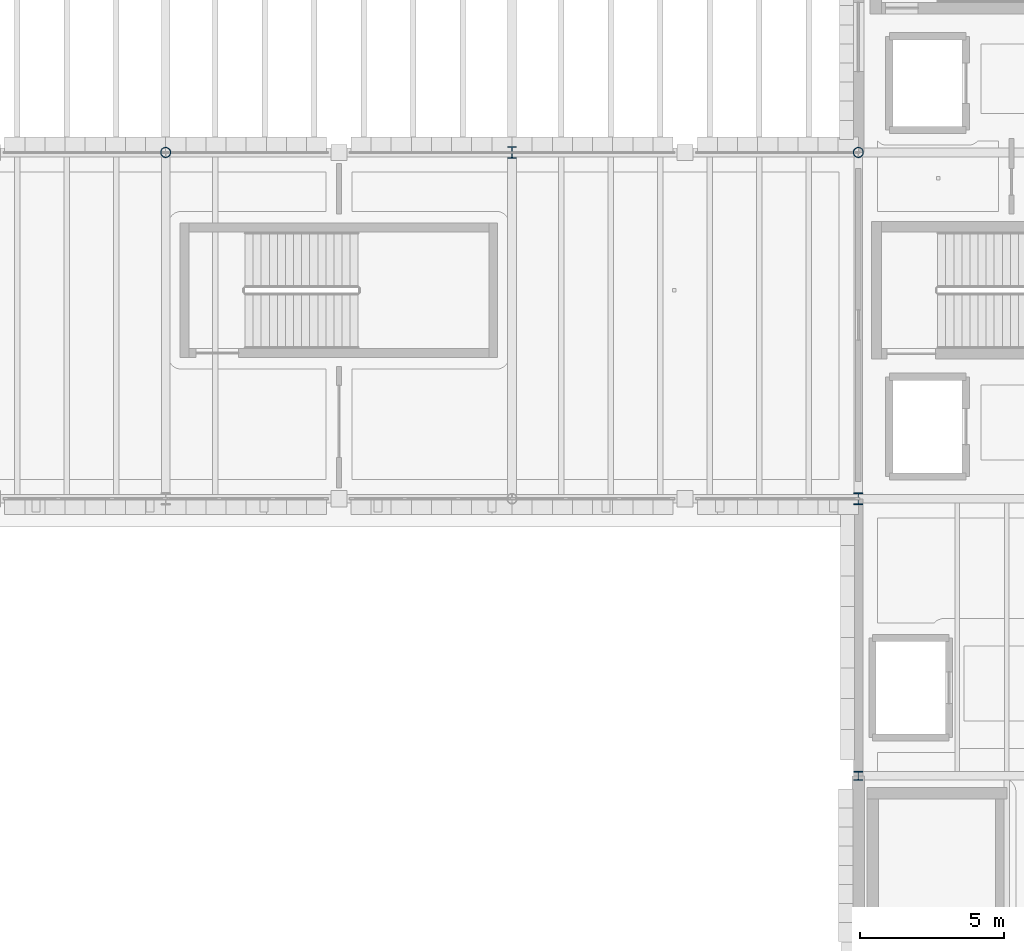
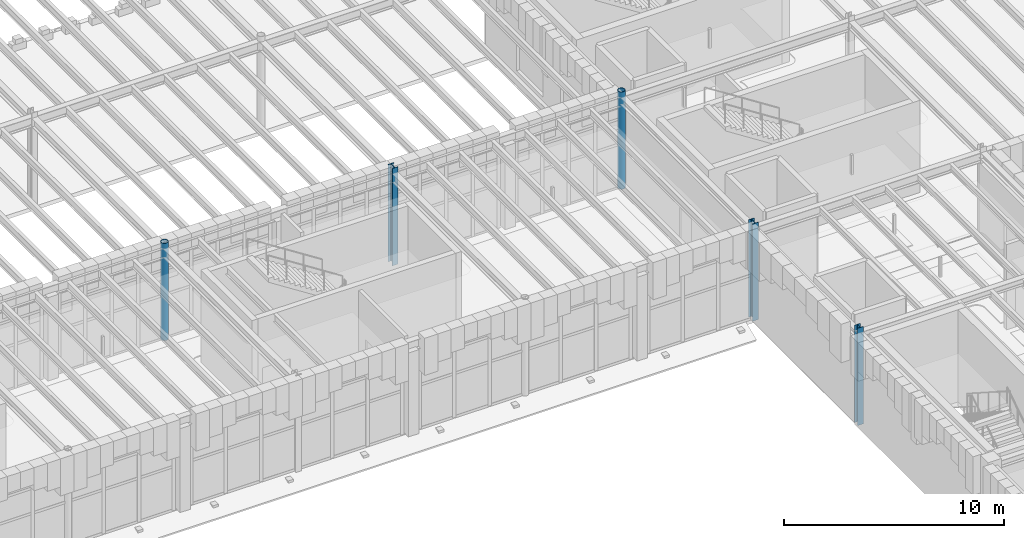
# One storey, part 9 of 100: 5 columns.
"""IFC4 building model written with IfcOpenShell, lengths in metres."""

from ifc_helpers import new_model, si_unit, direction, frame, origin, origin_2d, place, context, subcontext, project, spatial, hollow_circle, i_section, extrude, material, material_profile, profile_set, type_object, element, save


model = new_model("IFC4")

# Units and contexts
model_context = context("Model", 3, precision=1e-05, world=origin(), true_north=direction((0.0, 1.0)))
body_context = subcontext(model_context, "Body", "Model", "MODEL_VIEW")
ifc_project = project(units=[si_unit("LENGTHUNIT", "METRE"), si_unit("AREAUNIT", "SQUARE_METRE"), si_unit("VOLUMEUNIT", "CUBIC_METRE"), si_unit("PLANEANGLEUNIT", "RADIAN"), si_unit("MASSUNIT", "GRAM", prefix="KILO")], contexts=[model_context])

# Site, building, storey
site_placement = place(None, origin())
site = spatial("IfcSite", under=ifc_project, at=site_placement, CompositionType="ELEMENT")
building_placement = place(site_placement, origin())
building = spatial("IfcBuilding", under=site, at=building_placement, Name="Zlatogorsky Bluff Art Gallery", CompositionType="ELEMENT")
storey_placement = place(building_placement, frame((0.0, 0.0, 5.39990234375)))
storey = spatial("IfcBuildingStorey", under=building, at=storey_placement, Name="L01", CompositionType="ELEMENT", Elevation=5.39990234375)

# Columns
ifc_material = material(Name="Steel S355", Category="steel")
ifc_material_profile_1 = material_profile(ifc_material, i_section(OverallWidth=0.300048828125, OverallDepth=0.39990234375, WebThickness=0.013427734375, FlangeThickness=0.02392578125, FilletRadius=0.027099609375, at=origin_2d()), Name="HEB 400")
ifc_profile_set_1 = profile_set([ifc_material_profile_1], Name="Steel S355")
column_type_1 = type_object("IfcColumnType", Name="Column CL-04 HEB 400", PredefinedType="COLUMN", material=ifc_profile_set_1)
for number, where, z_axis, x_axis, name in (
    (1, (108.0, 96.0, 0.0), (0.0, 0.0, 1.0), (1.0, 0.0, 0.0), "Column CL-04 L01 K10"),
    (2, (120.0, 84.0, 0.0), (0.0, 0.0, 1.0), (1.0, 0.0, 0.0), "Column CL-04 L01 L9"),
):
    element("IfcColumn", number, at=place(storey_placement, frame(where, z_axis=z_axis, x_axis=x_axis)), inside=storey, type_object=column_type_1, Name=name, PredefinedType="COLUMN", context=body_context, shape_type="SweptSolid", body=[
        extrude(i_section(OverallWidth=0.300048828125, OverallDepth=0.39990234375, WebThickness=0.013427734375, FlangeThickness=0.02392578125, FilletRadius=0.027099609375, at=origin_2d()), origin(), (0.0, 0.0, 1.0), 5.400146484375),
    ])
ifc_material_profile_2 = material_profile(ifc_material, i_section(OverallWidth=0.300048828125, OverallDepth=0.300048828125, WebThickness=0.010986328125, FlangeThickness=0.01904296875, FilletRadius=0.027099609375, at=origin_2d()), Name="HEB 300")
ifc_profile_set_2 = profile_set([ifc_material_profile_2], Name="Steel S355")
column_type_2 = type_object("IfcColumnType", Name="Column CL-06 HEB 300", PredefinedType="COLUMN", material=ifc_profile_set_2)
column_placement = place(storey_placement, frame((120.0, 74.39990234375, 0.0), z_axis=(0.0, 0.0, 1.0), x_axis=(1.0, 0.0, 0.0)))
element("IfcColumn", 3, at=column_placement, inside=storey, type_object=column_type_2, Name="Column CL-06 L01 L8", PredefinedType="COLUMN", context=body_context, shape_type="SweptSolid", body=[
    extrude(i_section(OverallWidth=0.300048828125, OverallDepth=0.300048828125, WebThickness=0.010986328125, FlangeThickness=0.01904296875, FilletRadius=0.027099609375, at=origin_2d()), origin(), (0.0, 0.0, 1.0), 5.400146484375),
])
ifc_material_profile_3 = material_profile(ifc_material, hollow_circle(Radius=0.177734375, WallThickness=0.01611328125, at=origin_2d()), Name="CHS 355.6x16")
ifc_profile_set_3 = profile_set([ifc_material_profile_3], Name="Steel S355")
column_type_3 = type_object("IfcColumnType", Name="Column CL-10 CHS 355.6x16", PredefinedType="COLUMN", material=ifc_profile_set_3)
for number, where, z_axis, x_axis, name in (
    (4, (96.0, 96.0, 0.0), (0.0, 0.0, 1.0), (1.0, 0.0, 0.0), "Column CL-10 L01 J10"),
    (5, (120.0, 96.0, 0.0), (0.0, 0.0, 1.0), (1.0, 0.0, 0.0), "Column CL-10 L01 L10"),
):
    element("IfcColumn", number, at=place(storey_placement, frame(where, z_axis=z_axis, x_axis=x_axis)), inside=storey, type_object=column_type_3, Name=name, PredefinedType="COLUMN", context=body_context, shape_type="SweptSolid", body=[
        extrude(hollow_circle(Radius=0.177734375, WallThickness=0.01611328125, at=origin_2d()), origin(), (0.0, 0.0, 1.0), 5.400146484375),
    ])

save(model, "model.ifc")
